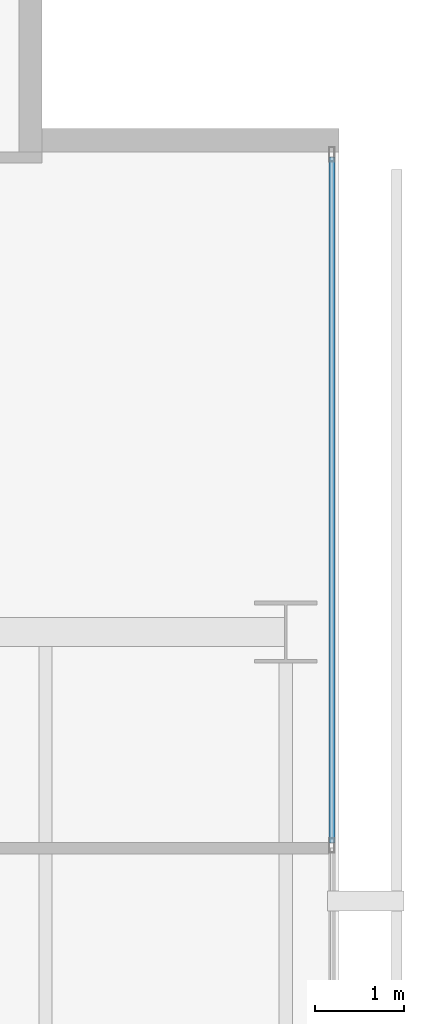
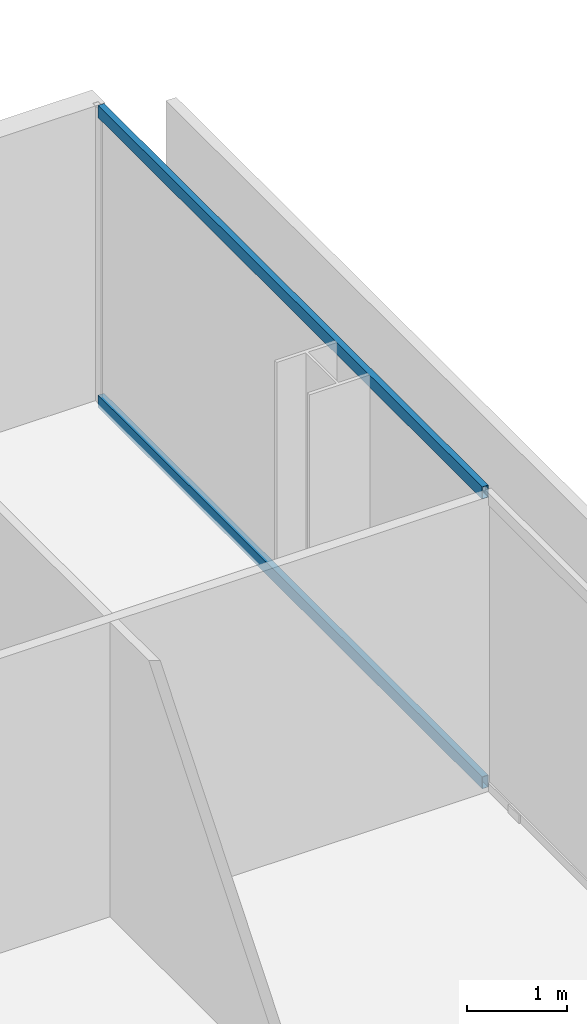
# One storey, part 29 of 40: 2 members, 1 element without a shape of its own.
"""IFC4 building model written with IfcOpenShell, lengths in metres."""

from ifc_helpers import new_model, si_unit, direction, frame, origin, origin_2d, place, context, subcontext, project, spatial, hollow_rectangle, extrude, material, layer, layer_set, material_profile, profile_set, type_object, element, aggregate, save


model = new_model("IFC4")

# Units and contexts
model_context = context("Model", 3, precision=1e-05, world=origin(), true_north=direction((0.0, 1.0)))
body_context = subcontext(model_context, "Body", "Model", "MODEL_VIEW")
ifc_project = project(units=[si_unit("LENGTHUNIT", "METRE"), si_unit("AREAUNIT", "SQUARE_METRE"), si_unit("VOLUMEUNIT", "CUBIC_METRE"), si_unit("PLANEANGLEUNIT", "RADIAN"), si_unit("MASSUNIT", "GRAM", prefix="KILO")], contexts=[model_context])

# Site, building, storey
site_placement = place(None, origin())
site = spatial("IfcSite", under=ifc_project, at=site_placement, CompositionType="ELEMENT")
building_placement = place(site_placement, origin())
building = spatial("IfcBuilding", under=site, at=building_placement, Name="Maruvema Waterfront Hotel and Observation Tower", CompositionType="ELEMENT")
storey_placement = place(building_placement, frame((0.0, 0.0, 96.25)))
storey = spatial("IfcBuildingStorey", under=building, at=storey_placement, Name="L23", CompositionType="ELEMENT", Elevation=96.25)

# Curtain wall, members
ifc_material_1 = material(Name="Anodised bronze aluminium and solar-control low-E IGU", Category="aluminium")
ifc_layer = layer(ifc_material_1, 0.159912109375, Name="Zone 1 Bronze Inner Thermal Curtain Wall System CW-02")
ifc_layer_set = layer_set([ifc_layer], Name="Anodised bronze aluminium and solar-control low-E IGU")
curtain_wall_type = type_object("IfcCurtainWallType", Name="Zone 1 Bronze Inner Thermal Curtain Wall System CW-02", PredefinedType="USERDEFINED", material=ifc_layer_set)
curtain_wall_placement = place(storey_placement, origin())
curtain_wall = element("IfcCurtainWall", 1, at=curtain_wall_placement, inside=storey, type_object=curtain_wall_type, Name="L23 Curtain Wall CW-L23-E", ObjectType="UNITISED CURTAIN WALL", PredefinedType="USERDEFINED")
ifc_material_2 = material(Name="Anodised architectural bronze aluminium", Category="aluminium")
ifc_material_profile = material_profile(ifc_material_2, hollow_rectangle(XDim=0.070068359375, YDim=0.14990234375, WallThickness=0.00390625, at=origin_2d()), Name="ALU-T70x150")
ifc_profile_set = profile_set([ifc_material_profile], Name="Anodised architectural bronze aluminium")
member_type = type_object("IfcMemberType", Name="Curtain Wall Horizontal Transom ALU-T70x150", PredefinedType="USERDEFINED", material=ifc_profile_set)
member_1_placement = place(storey_placement, frame((64.719970703125, 42.6298828125, 0.030029296875), z_axis=(0.0, 1.0, 0.0), x_axis=(-1.0, 0.0, 0.0)))
member_1 = element("IfcMember", 2, at=member_1_placement, type_object=member_type, Name="CW-02 transom 6.1", ObjectType="TRANSOM", PredefinedType="USERDEFINED", context=body_context, shape_type="SweptSolid", body=[
    extrude(hollow_rectangle(XDim=0.070068359375, YDim=0.14990234375, WallThickness=0.00390625, at=origin_2d()), origin(), (0.0, 0.0, 1.0), 7.710205078125),
])
member_2_placement = place(storey_placement, frame((64.719970703125, 42.6298828125, 3.580078125), z_axis=(0.0, 1.0, 0.0), x_axis=(-1.0, 0.0, 0.0)))
member_2 = element("IfcMember", 3, at=member_2_placement, type_object=member_type, Name="CW-02 transom 6.2", ObjectType="TRANSOM", PredefinedType="USERDEFINED", context=body_context, shape_type="SweptSolid", body=[
    extrude(hollow_rectangle(XDim=0.070068359375, YDim=0.14990234375, WallThickness=0.00390625, at=origin_2d()), origin(), (0.0, 0.0, 1.0), 7.710205078125),
])
aggregate(curtain_wall, [member_1, member_2])

save(model, "model.ifc")
